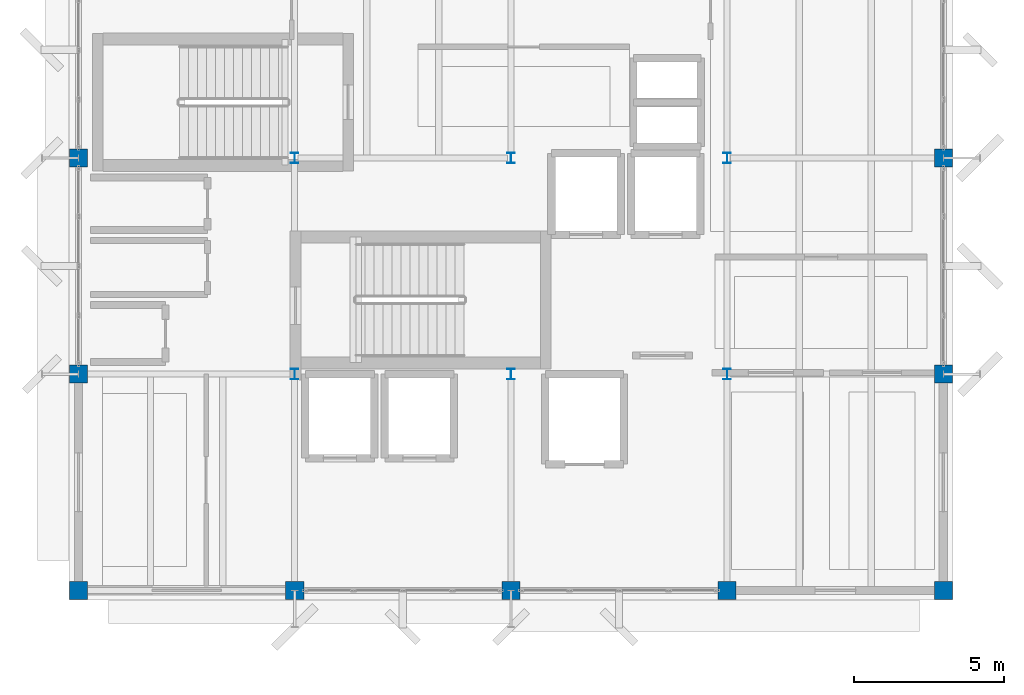
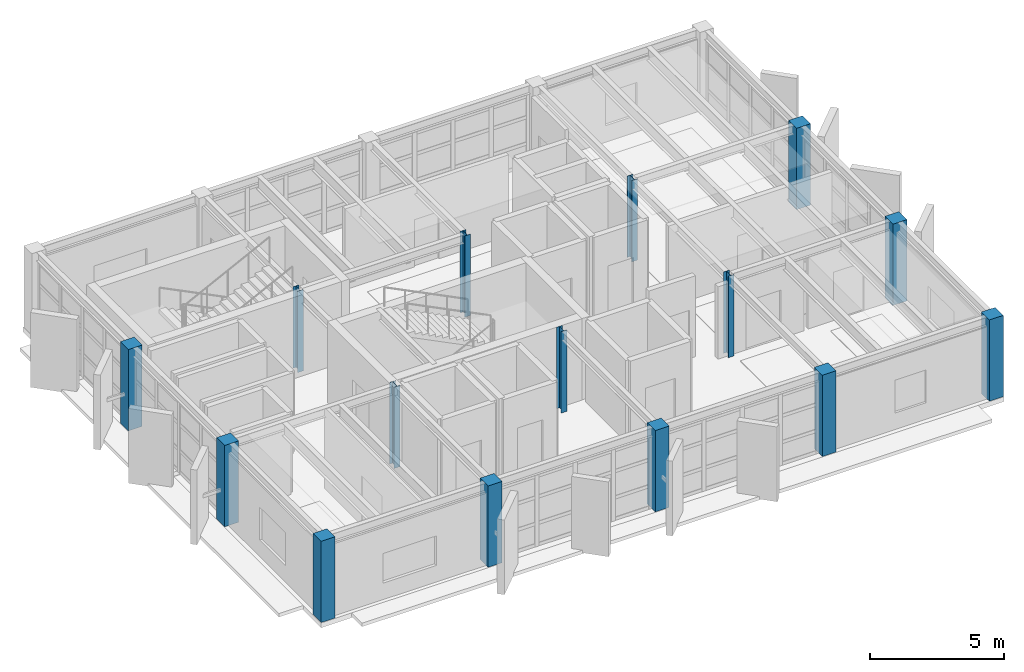
# One storey, part 1 of 15: 15 columns.
"""IFC4 building model written with IfcOpenShell, lengths in metres."""

from ifc_helpers import new_model, si_unit, direction, frame, origin, origin_2d, place, context, subcontext, project, spatial, rectangle, i_section, extrude, material, material_profile, profile_set, type_object, element, save


model = new_model("IFC4")

# Units and contexts
model_context = context("Model", 3, precision=1e-05, world=origin(), true_north=direction((0.0, 1.0)))
body_context = subcontext(model_context, "Body", "Model", "MODEL_VIEW")
ifc_project = project(units=[si_unit("LENGTHUNIT", "METRE"), si_unit("AREAUNIT", "SQUARE_METRE"), si_unit("VOLUMEUNIT", "CUBIC_METRE"), si_unit("PLANEANGLEUNIT", "RADIAN"), si_unit("MASSUNIT", "GRAM", prefix="KILO")], contexts=[model_context])

# Site, building, storey
site_placement = place(None, origin())
site = spatial("IfcSite", under=ifc_project, at=site_placement, CompositionType="ELEMENT")
building_placement = place(site_placement, origin())
building = spatial("IfcBuilding", under=site, at=building_placement, Name="Kandorven Conservatory and Botanical Research Centre", CompositionType="ELEMENT")
storey_placement = place(building_placement, frame((0.0, 0.0, 52.199951171875)))
storey = spatial("IfcBuildingStorey", under=building, at=storey_placement, Name="L13", CompositionType="ELEMENT", Elevation=52.199951171875)

# Columns
ifc_material_1 = material(Name="Steel S355 (IS 2062 E350)", Category="steel")
ifc_material_profile_1 = material_profile(ifc_material_1, i_section(OverallWidth=0.25, OverallDepth=0.35009765625, WebThickness=0.010009765625, FlangeThickness=0.01171875, at=origin_2d()))
ifc_profile_set_1 = profile_set([ifc_material_profile_1], Name="Steel S355 (IS 2062 E350)")
column_type_1 = type_object("IfcColumnType", Name="Col_SC-03", PredefinedType="COLUMN", material=ifc_profile_set_1)
for number, where, z_axis, x_axis, name in (
    (1, (13.199951171875, 13.199951171875, 0.0), (0.0, 0.0, 1.0), (1.0, 0.0, 0.0), "Column SC-03 TWR L13 (2,2)"),
    (2, (13.199951171875, 20.39990234375, 0.0), (0.0, 0.0, 1.0), (1.0, 0.0, 0.0), "Column SC-03 TWR L13 (2,3)"),
    (3, (20.39990234375, 13.199951171875, 0.0), (0.0, 0.0, 1.0), (1.0, 0.0, 0.0), "Column SC-03 TWR L13 (3,2)"),
    (4, (20.39990234375, 20.39990234375, 0.0), (0.0, 0.0, 1.0), (1.0, 0.0, 0.0), "Column SC-03 TWR L13 (3,3)"),
    (5, (27.60009765625, 13.199951171875, 0.0), (0.0, 0.0, 1.0), (1.0, 0.0, 0.0), "Column SC-03 TWR L13 (4,2)"),
    (6, (27.60009765625, 20.39990234375, 0.0), (0.0, 0.0, 1.0), (1.0, 0.0, 0.0), "Column SC-03 TWR L13 (4,3)"),
):
    element("IfcColumn", number, at=place(storey_placement, frame(where, z_axis=z_axis, x_axis=x_axis)), inside=storey, type_object=column_type_1, Name=name, PredefinedType="COLUMN", context=body_context, shape_type="SweptSolid", body=[
        extrude(i_section(OverallWidth=0.25, OverallDepth=0.35009765625, WebThickness=0.010009765625, FlangeThickness=0.01171875, at=origin_2d()), origin(), (0.0, 0.0, 1.0), 3.705078125),
    ])
ifc_material_2 = material(Name="Concrete C40/50 (M50)", Category="concrete")
ifc_material_profile_2 = material_profile(ifc_material_2, rectangle(XDim=0.60009765625, YDim=0.60009765625, at=origin_2d()))
ifc_profile_set_2 = profile_set([ifc_material_profile_2], Name="Concrete C40/50 (M50)")
column_type_2 = type_object("IfcColumnType", Name="Col_TC-04", PredefinedType="COLUMN", material=ifc_profile_set_2)
for number, where, z_axis, x_axis, name in (
    (7, (6.0, 6.0, 0.0), (0.0, 0.0, 1.0), (1.0, 0.0, 0.0), "Column TC-04 TWR L13 (1,1)"),
    (8, (6.0, 13.199951171875, 0.0), (0.0, 0.0, 1.0), (1.0, 0.0, 0.0), "Column TC-04 TWR L13 (1,2)"),
    (9, (6.0, 20.39990234375, 0.0), (0.0, 0.0, 1.0), (1.0, 0.0, 0.0), "Column TC-04 TWR L13 (1,3)"),
    (10, (13.199951171875, 6.0, 0.0), (0.0, 0.0, 1.0), (1.0, 0.0, 0.0), "Column TC-04 TWR L13 (2,1)"),
    (11, (20.39990234375, 6.0, 0.0), (0.0, 0.0, 1.0), (1.0, 0.0, 0.0), "Column TC-04 TWR L13 (3,1)"),
    (12, (27.60009765625, 6.0, 0.0), (0.0, 0.0, 1.0), (1.0, 0.0, 0.0), "Column TC-04 TWR L13 (4,1)"),
    (13, (34.800048828125, 6.0, 0.0), (0.0, 0.0, 1.0), (1.0, 0.0, 0.0), "Column TC-04 TWR L13 (5,1)"),
    (14, (34.800048828125, 13.199951171875, 0.0), (0.0, 0.0, 1.0), (1.0, 0.0, 0.0), "Column TC-04 TWR L13 (5,2)"),
    (15, (34.800048828125, 20.39990234375, 0.0), (0.0, 0.0, 1.0), (1.0, 0.0, 0.0), "Column TC-04 TWR L13 (5,3)"),
):
    element("IfcColumn", number, at=place(storey_placement, frame(where, z_axis=z_axis, x_axis=x_axis)), inside=storey, type_object=column_type_2, Name=name, PredefinedType="COLUMN", context=body_context, shape_type="SweptSolid", body=[
        extrude(rectangle(XDim=0.60009765625, YDim=0.60009765625, at=origin_2d()), origin(), (0.0, 0.0, 1.0), 3.705078125),
    ])

save(model, "model.ifc")
